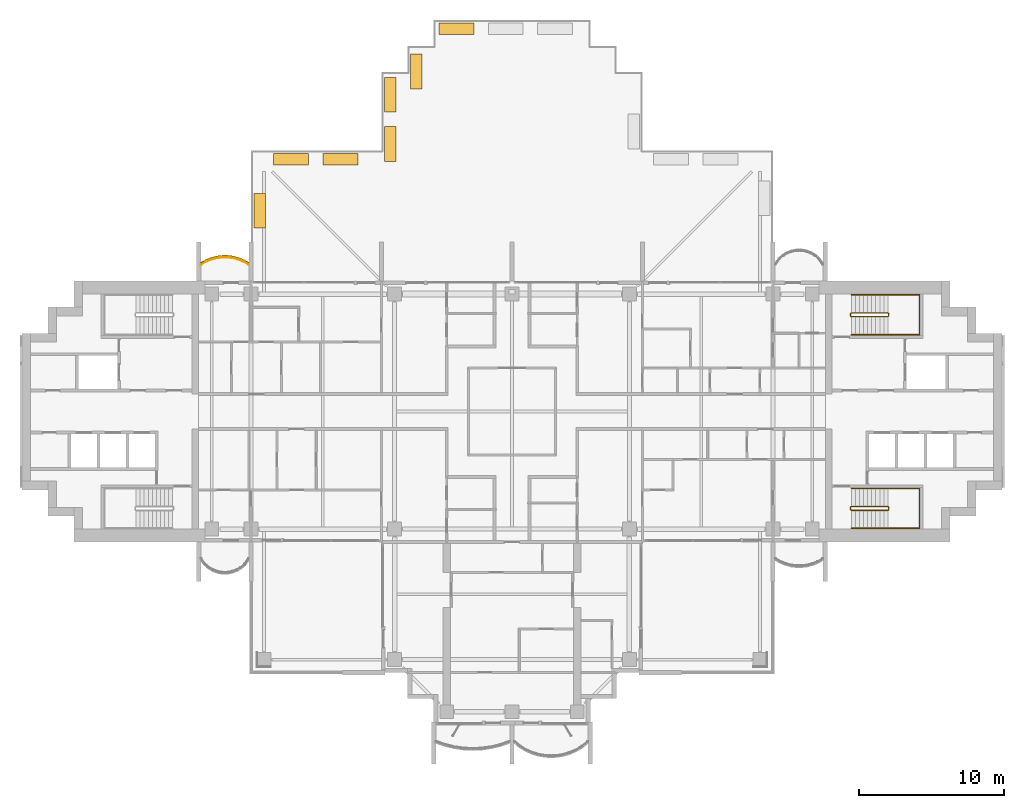
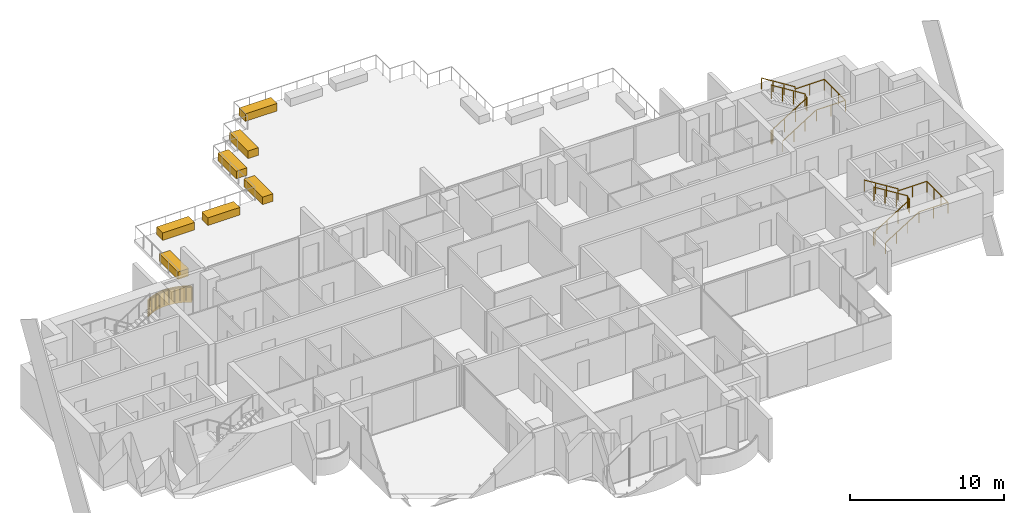
# One storey, part 17 of 18: 8 coverings, 5 railings.
"""IFC4 building model written with IfcOpenShell, lengths in metres."""

from ifc_helpers import new_model, si_unit, direction, frame, origin, origin_2d, place, context, subcontext, project, spatial, polyline, rectangle, outline, extrude, material, layer, layer_set, type_object, element, save


model = new_model("IFC4")

# Units and contexts
model_context = context("Model", 3, precision=1e-05, world=origin(), true_north=direction((0.0, 1.0)))
body_context = subcontext(model_context, "Body", "Model", "MODEL_VIEW")
ifc_project = project(units=[si_unit("LENGTHUNIT", "METRE"), si_unit("AREAUNIT", "SQUARE_METRE"), si_unit("VOLUMEUNIT", "CUBIC_METRE"), si_unit("PLANEANGLEUNIT", "RADIAN"), si_unit("MASSUNIT", "GRAM", prefix="KILO")], contexts=[model_context])

# Site, building, storey
site_placement = place(None, origin())
site = spatial("IfcSite", under=ifc_project, at=site_placement, CompositionType="ELEMENT")
building_placement = place(site_placement, origin())
building = spatial("IfcBuilding", under=site, at=building_placement, Name="Perihelion Cross Residences", CompositionType="ELEMENT")
storey_placement = place(building_placement, frame((0.0, 0.0, 166.60009765625)))
storey = spatial("IfcBuildingStorey", under=building, at=storey_placement, Name="L40", CompositionType="ELEMENT", Elevation=166.60009765625)

# Covering
ifc_material_1 = material(Name="Bronze anodised aluminium", Category="aluminium")
ifc_layer = layer(ifc_material_1, 0.070068359375)
ifc_layer_set = layer_set([ifc_layer], Name="Balcony fascia 1300")
covering_type_1 = type_object("IfcCoveringType", Name="Balcony fascia 1300", PredefinedType="CLADDING", material=ifc_layer_set)
covering_placement = place(storey_placement, frame((0.0, 0.0, -0.2001953125)))
element("IfcCovering", 1, at=covering_placement, inside=storey, type_object=covering_type_1, Name="Fascia BF1 L40 west side north bay 2", PredefinedType="CLADDING", context=body_context, shape_type="SweptSolid", body=[
    extrude(outline(polyline([(-18.486328125, 10.4716796875), (-18.861572265625, 10.62158203125), (-19.237060546875, 10.717529296875), (-19.6123046875, 10.76416015625), (-19.987548828125, 10.76416015625), (-20.363037109375, 10.717529296875), (-20.73828125, 10.62158203125), (-21.11376953125, 10.4716796875), (-21.449951171875, 10.280517578125), (-21.449951171875, 10.199951171875), (-21.083251953125, 10.40869140625), (-20.716552734375, 10.55517578125), (-20.35009765625, 10.648681640625), (-19.9833984375, 10.6943359375), (-19.61669921875, 10.6943359375), (-19.25, 10.648681640625), (-18.88330078125, 10.55517578125), (-18.5166015625, 10.40869140625), (-18.14990234375, 10.199951171875), (-18.14990234375, 10.280517578125), (-18.486328125, 10.4716796875)])), origin(), (0.0, 0.0, 1.0), 1.300048828125),
])

# Railing
ifc_material_2 = material(Name="Bronze anodised aluminium", Category="aluminium")
railing_type_1 = type_object("IfcRailingType", Name="Balcony guard 1100", PredefinedType="GUARDRAIL", material=ifc_material_2)
railing_1_placement = place(storey_placement, frame((-18.175048828125, 10.139892578125, 0.0)))
element("IfcRailing", 2, at=railing_1_placement, inside=storey, type_object=railing_type_1, Name="Guard GU1 L40 west side north bay 2 balcony", PredefinedType="GUARDRAIL", context=body_context, shape_type="SweptSolid", body=[
    extrude(rectangle(XDim=0.048095703125, YDim=0.048095703125, at=origin_2d()), frame((0.0, 0.0, 1.076171875), z_axis=(-0.853266756821, 0.52147467983, 0.0), x_axis=(-0.52147467983, -0.853266756821, 0.0)), (0.0, 0.0, 1.0), 0.400390625),
    extrude(rectangle(XDim=0.048095703125, YDim=0.048095703125, at=origin_2d()), frame((-0.341552734375, 0.208740234375, 1.076171875), z_axis=(-0.928647151248, 0.37096424151, 0.0), x_axis=(-0.37096424151, -0.928647151248, 0.0)), (0.0, 0.0, 1.0), 0.394775390625),
    extrude(rectangle(XDim=0.048095703125, YDim=0.048095703125, at=origin_2d()), frame((-0.708251953125, 0.355224609375, 1.076171875), z_axis=(-0.968993337782, 0.247086849781, 0.0), x_axis=(-0.247086849781, -0.968993337782, 0.0)), (0.0, 0.0, 1.0), 0.37841796875),
    extrude(rectangle(XDim=0.048095703125, YDim=0.048095703125, at=origin_2d()), frame((-1.074951171875, 0.44873046875, 1.076171875), z_axis=(-0.992338742457, 0.123546834114, 0.0), x_axis=(-0.123546834114, -0.992338742457, 0.0)), (0.0, 0.0, 1.0), 0.36962890625),
    extrude(rectangle(XDim=0.048095703125, YDim=0.048095703125, at=origin_2d()), frame((-1.441650390625, 0.494384765625, 1.076171875), z_axis=(-1.0, 0.0, 0.0), x_axis=(0.0, -1.0, 0.0)), (0.0, 0.0, 1.0), 0.36669921875),
    extrude(rectangle(XDim=0.048095703125, YDim=0.048095703125, at=origin_2d()), frame((-1.808349609375, 0.494384765625, 1.076171875), z_axis=(-0.992338742457, -0.123546834114, 0.0), x_axis=(0.123546834114, -0.992338742457, 0.0)), (0.0, 0.0, 1.0), 0.36962890625),
    extrude(rectangle(XDim=0.048095703125, YDim=0.048095703125, at=origin_2d()), frame((-2.175048828125, 0.44873046875, 1.076171875), z_axis=(-0.968953914071, -0.247241405123, 0.0), x_axis=(0.247241405123, -0.968953914071, 0.0)), (0.0, 0.0, 1.0), 0.378173828125),
    extrude(rectangle(XDim=0.048095703125, YDim=0.048095703125, at=origin_2d()), frame((-2.54150390625, 0.355224609375, 1.076171875), z_axis=(-0.928647151248, -0.37096424151, 0.0), x_axis=(0.37096424151, -0.928647151248, 0.0)), (0.0, 0.0, 1.0), 0.394775390625),
    extrude(rectangle(XDim=0.048095703125, YDim=0.048095703125, at=origin_2d()), frame((-2.908203125, 0.208740234375, 1.076171875), z_axis=(-0.853432484338, -0.521203410078, 0.0), x_axis=(0.521203410078, -0.853432484338, 0.0)), (0.0, 0.0, 1.0), 0.400390625),
    extrude(rectangle(XDim=0.0419921875, YDim=0.0419921875, at=origin_2d()), origin(), (0.0, 0.0, 1.0), 1.052001953125),
    extrude(rectangle(XDim=0.0419921875, YDim=0.0419921875, at=origin_2d()), frame((-0.341552734375, 0.208740234375, 0.0)), (0.0, 0.0, 1.0), 1.052001953125),
    extrude(rectangle(XDim=0.0419921875, YDim=0.0419921875, at=origin_2d()), frame((-0.708251953125, 0.355224609375, 0.0)), (0.0, 0.0, 1.0), 1.052001953125),
    extrude(rectangle(XDim=0.0419921875, YDim=0.0419921875, at=origin_2d()), frame((-1.074951171875, 0.44873046875, 0.0)), (0.0, 0.0, 1.0), 1.052001953125),
    extrude(rectangle(XDim=0.0419921875, YDim=0.0419921875, at=origin_2d()), frame((-1.441650390625, 0.494384765625, 0.0)), (0.0, 0.0, 1.0), 1.052001953125),
    extrude(rectangle(XDim=0.0419921875, YDim=0.0419921875, at=origin_2d()), frame((-1.808349609375, 0.494384765625, 0.0)), (0.0, 0.0, 1.0), 1.052001953125),
    extrude(rectangle(XDim=0.0419921875, YDim=0.0419921875, at=origin_2d()), frame((-2.175048828125, 0.44873046875, 0.0)), (0.0, 0.0, 1.0), 1.052001953125),
    extrude(rectangle(XDim=0.0419921875, YDim=0.0419921875, at=origin_2d()), frame((-2.54150390625, 0.355224609375, 0.0)), (0.0, 0.0, 1.0), 1.052001953125),
    extrude(rectangle(XDim=0.0419921875, YDim=0.0419921875, at=origin_2d()), frame((-2.908203125, 0.208740234375, 0.0)), (0.0, 0.0, 1.0), 1.052001953125),
    extrude(rectangle(XDim=0.0419921875, YDim=0.0419921875, at=origin_2d()), frame((-3.25, 0.0, 0.0)), (0.0, 0.0, 1.0), 1.052001953125),
])

# Coverings
ifc_material_3 = material(Name="Precast concrete C40/50", Category="concrete")
covering_type_2 = type_object("IfcCoveringType", Name="Planter box 2400", PredefinedType="USERDEFINED", material=ifc_material_3)
for number, where, z_axis, x_axis, name in (
    (3, (-17.389892578125, 13.85009765625, -0.000244140625), (0.0, 0.0, 1.0), (0.0, 1.0, 0.0), "Planter PT1 L40 terrace 1 1"),
    (4, (-15.22998046875, 17.389892578125, -0.000244140625), (0.0, 0.0, 1.0), (1.0, 0.0, 0.0), "Planter PT1 L40 terrace 1 2"),
    (5, (-11.830078125, 17.389892578125, -0.000244140625), (0.0, 0.0, 1.0), (1.0, 0.0, 0.0), "Planter PT1 L40 terrace 1 3"),
    (6, (-8.389892578125, 18.449951171875, -0.000244140625), (0.0, 0.0, 1.0), (0.0, 1.0, 0.0), "Planter PT1 L40 terrace 1 4"),
    (7, (-8.389892578125, 21.85009765625, -0.000244140625), (0.0, 0.0, 1.0), (0.0, 1.0, 0.0), "Planter PT1 L40 terrace 1 5"),
    (8, (-6.590087890625, 23.449951171875, -0.000244140625), (0.0, 0.0, 1.0), (0.0, 1.0, 0.0), "Planter PT1 L40 terrace 1 6"),
    (9, (-3.830078125, 26.389892578125, -0.000244140625), (0.0, 0.0, 1.0), (1.0, 0.0, 0.0), "Planter PT1 L40 terrace 1 7"),
):
    element("IfcCovering", number, at=place(storey_placement, frame(where, z_axis=z_axis, x_axis=x_axis)), inside=storey, type_object=covering_type_2, Name=name, ObjectType="PLANTER", PredefinedType="USERDEFINED", context=body_context, shape_type="SweptSolid", body=[
        extrude(rectangle(XDim=2.39990234375, YDim=0.800048828125, at=origin_2d()), origin(), (0.0, 0.0, 1.0), 0.60009765625),
    ])

# Railings
ifc_material_4 = material(Name="Stainless steel", Category="steel")
railing_type_2 = type_object("IfcRailingType", Name="Stair guard 1100", PredefinedType="GUARDRAIL", material=ifc_material_4)
railing_2_placement = place(storey_placement, frame((23.35009765625, 6.75, 0.0)))
element("IfcRailing", 10, at=railing_2_placement, inside=storey, type_object=railing_type_2, Name="L40 ST-E1 stair guard 1", PredefinedType="GUARDRAIL", context=body_context, shape_type="SweptSolid", body=[
    extrude(rectangle(XDim=0.048095703125, YDim=0.048095703125, at=origin_2d()), frame((0.0, 0.0, 1.076171875), z_axis=(0.0, -1.0, 0.0), x_axis=(1.0, 0.0, 0.0)), (0.0, 0.0, 1.0), 0.14990234375),
    extrude(rectangle(XDim=0.048095703125, YDim=0.048095703125, at=origin_2d()), frame((0.0, -0.14990234375, 1.076171875), z_axis=(0.264179342666, -0.265474339444, 0.927217692888), x_axis=(0.708833529934, 0.705375805398, 0.0)), (0.0, 0.0, 1.0), 0.1884765625),
    extrude(rectangle(XDim=0.048095703125, YDim=0.048095703125, at=origin_2d()), frame((0.0498046875, -0.199951171875, 1.2509765625), z_axis=(0.847970611238, 0.0, 0.530043245855), x_axis=(0.0, 1.0, 0.0)), (0.0, 0.0, 1.0), 2.971923828125),
    extrude(rectangle(XDim=0.048095703125, YDim=0.048095703125, at=origin_2d()), frame((2.56982421875, -0.199951171875, 2.826171875), z_axis=(0.707106781187, 0.707106781187, 0.0), x_axis=(-0.707106781187, 0.707106781187, 0.0)), (0.0, 0.0, 1.0), 0.07080078125),
    extrude(rectangle(XDim=0.048095703125, YDim=0.048095703125, at=origin_2d()), frame((2.619873046875, -0.14990234375, 2.826171875), z_axis=(0.0, 1.0, 0.0), x_axis=(-1.0, 0.0, 0.0)), (0.0, 0.0, 1.0), 0.14990234375),
    extrude(rectangle(XDim=0.048095703125, YDim=0.048095703125, at=origin_2d()), frame((2.619873046875, 0.0, 2.826171875), z_axis=(-0.265383341853, 0.265383341853, 0.926899867156), x_axis=(-0.707106781187, -0.707106781187, 0.0)), (0.0, 0.0, 1.0), 0.1884765625),
    extrude(rectangle(XDim=0.048095703125, YDim=0.048095703125, at=origin_2d()), frame((2.56982421875, 0.050048828125, 3.0009765625), z_axis=(-0.847970611238, 0.0, 0.530043245855), x_axis=(0.0, -1.0, 0.0)), (0.0, 0.0, 1.0), 2.971923828125),
    extrude(rectangle(XDim=0.0419921875, YDim=0.0419921875, at=origin_2d()), origin(), (0.0, 0.0, 1.0), 1.052001953125),
    extrude(rectangle(XDim=0.0419921875, YDim=0.0419921875, at=origin_2d()), frame((0.0, -0.14990234375, 0.0)), (0.0, 0.0, 1.0), 1.052001953125),
    extrude(rectangle(XDim=0.0419921875, YDim=0.0419921875, at=origin_2d()), frame((0.0498046875, -0.199951171875, 0.1748046875)), (0.0, 0.0, 1.0), 1.052001953125),
    extrude(rectangle(XDim=0.0419921875, YDim=0.0419921875, at=origin_2d()), frame((0.889892578125, -0.199951171875, 0.699951171875)), (0.0, 0.0, 1.0), 1.052001953125),
    extrude(rectangle(XDim=0.0419921875, YDim=0.0419921875, at=origin_2d()), frame((1.729736328125, -0.199951171875, 1.224853515625)), (0.0, 0.0, 1.0), 1.052001953125),
    extrude(rectangle(XDim=0.0419921875, YDim=0.0419921875, at=origin_2d()), frame((2.56982421875, -0.199951171875, 1.75)), (0.0, 0.0, 1.0), 1.052001953125),
    extrude(rectangle(XDim=0.0419921875, YDim=0.0419921875, at=origin_2d()), frame((2.619873046875, -0.14990234375, 1.75)), (0.0, 0.0, 1.0), 1.052001953125),
    extrude(rectangle(XDim=0.0419921875, YDim=0.0419921875, at=origin_2d()), frame((2.619873046875, 0.0, 1.75)), (0.0, 0.0, 1.0), 1.052001953125),
    extrude(rectangle(XDim=0.0419921875, YDim=0.0419921875, at=origin_2d()), frame((2.56982421875, 0.050048828125, 1.9248046875)), (0.0, 0.0, 1.0), 1.052001953125),
    extrude(rectangle(XDim=0.0419921875, YDim=0.0419921875, at=origin_2d()), frame((1.729736328125, 0.050048828125, 2.449951171875)), (0.0, 0.0, 1.0), 1.052001953125),
    extrude(rectangle(XDim=0.0419921875, YDim=0.0419921875, at=origin_2d()), frame((0.889892578125, 0.050048828125, 2.974853515625)), (0.0, 0.0, 1.0), 1.052001953125),
    extrude(rectangle(XDim=0.0419921875, YDim=0.0419921875, at=origin_2d()), frame((0.0498046875, 0.050048828125, 3.5)), (0.0, 0.0, 1.0), 1.052001953125),
])
railing_3_placement = place(storey_placement, frame((23.35009765625, -6.60009765625, 0.0)))
element("IfcRailing", 11, at=railing_3_placement, inside=storey, type_object=railing_type_2, Name="L40 ST-E2 stair guard 1", PredefinedType="GUARDRAIL", context=body_context, shape_type="SweptSolid", body=[
    extrude(rectangle(XDim=0.048095703125, YDim=0.048095703125, at=origin_2d()), frame((0.0, 0.0, 1.076171875), z_axis=(0.0, -1.0, 0.0), x_axis=(1.0, 0.0, 0.0)), (0.0, 0.0, 1.0), 0.14990234375),
    extrude(rectangle(XDim=0.048095703125, YDim=0.048095703125, at=origin_2d()), frame((0.0, -0.14990234375, 1.076171875), z_axis=(0.264179342666, -0.265474339444, 0.927217692888), x_axis=(0.708833529934, 0.705375805398, 0.0)), (0.0, 0.0, 1.0), 0.1884765625),
    extrude(rectangle(XDim=0.048095703125, YDim=0.048095703125, at=origin_2d()), frame((0.0498046875, -0.199951171875, 1.2509765625), z_axis=(0.847970611238, 0.0, 0.530043245855), x_axis=(0.0, 1.0, 0.0)), (0.0, 0.0, 1.0), 2.971923828125),
    extrude(rectangle(XDim=0.048095703125, YDim=0.048095703125, at=origin_2d()), frame((2.56982421875, -0.199951171875, 2.826171875), z_axis=(0.707106781187, 0.707106781187, 0.0), x_axis=(-0.707106781187, 0.707106781187, 0.0)), (0.0, 0.0, 1.0), 0.07080078125),
    extrude(rectangle(XDim=0.048095703125, YDim=0.048095703125, at=origin_2d()), frame((2.619873046875, -0.14990234375, 2.826171875), z_axis=(0.0, 1.0, 0.0), x_axis=(-1.0, 0.0, 0.0)), (0.0, 0.0, 1.0), 0.14990234375),
    extrude(rectangle(XDim=0.048095703125, YDim=0.048095703125, at=origin_2d()), frame((2.619873046875, 0.0, 2.826171875), z_axis=(-0.265383341853, 0.265383341853, 0.926899867156), x_axis=(-0.707106781187, -0.707106781187, 0.0)), (0.0, 0.0, 1.0), 0.1884765625),
    extrude(rectangle(XDim=0.048095703125, YDim=0.048095703125, at=origin_2d()), frame((2.56982421875, 0.050048828125, 3.0009765625), z_axis=(-0.847970611238, 0.0, 0.530043245855), x_axis=(0.0, -1.0, 0.0)), (0.0, 0.0, 1.0), 2.971923828125),
    extrude(rectangle(XDim=0.0419921875, YDim=0.0419921875, at=origin_2d()), origin(), (0.0, 0.0, 1.0), 1.052001953125),
    extrude(rectangle(XDim=0.0419921875, YDim=0.0419921875, at=origin_2d()), frame((0.0, -0.14990234375, 0.0)), (0.0, 0.0, 1.0), 1.052001953125),
    extrude(rectangle(XDim=0.0419921875, YDim=0.0419921875, at=origin_2d()), frame((0.0498046875, -0.199951171875, 0.1748046875)), (0.0, 0.0, 1.0), 1.052001953125),
    extrude(rectangle(XDim=0.0419921875, YDim=0.0419921875, at=origin_2d()), frame((0.889892578125, -0.199951171875, 0.699951171875)), (0.0, 0.0, 1.0), 1.052001953125),
    extrude(rectangle(XDim=0.0419921875, YDim=0.0419921875, at=origin_2d()), frame((1.729736328125, -0.199951171875, 1.224853515625)), (0.0, 0.0, 1.0), 1.052001953125),
    extrude(rectangle(XDim=0.0419921875, YDim=0.0419921875, at=origin_2d()), frame((2.56982421875, -0.199951171875, 1.75)), (0.0, 0.0, 1.0), 1.052001953125),
    extrude(rectangle(XDim=0.0419921875, YDim=0.0419921875, at=origin_2d()), frame((2.619873046875, -0.14990234375, 1.75)), (0.0, 0.0, 1.0), 1.052001953125),
    extrude(rectangle(XDim=0.0419921875, YDim=0.0419921875, at=origin_2d()), frame((2.619873046875, 0.0, 1.75)), (0.0, 0.0, 1.0), 1.052001953125),
    extrude(rectangle(XDim=0.0419921875, YDim=0.0419921875, at=origin_2d()), frame((2.56982421875, 0.050048828125, 1.9248046875)), (0.0, 0.0, 1.0), 1.052001953125),
    extrude(rectangle(XDim=0.0419921875, YDim=0.0419921875, at=origin_2d()), frame((1.729736328125, 0.050048828125, 2.449951171875)), (0.0, 0.0, 1.0), 1.052001953125),
    extrude(rectangle(XDim=0.0419921875, YDim=0.0419921875, at=origin_2d()), frame((0.889892578125, 0.050048828125, 2.974853515625)), (0.0, 0.0, 1.0), 1.052001953125),
    extrude(rectangle(XDim=0.0419921875, YDim=0.0419921875, at=origin_2d()), frame((0.0498046875, 0.050048828125, 3.5)), (0.0, 0.0, 1.0), 1.052001953125),
])
ifc_material_5 = material(Name="Stainless steel", Category="steel")
railing_type_3 = type_object("IfcRailingType", Name="Stair handrail 900", PredefinedType="HANDRAIL", material=ifc_material_5)
railing_4_placement = place(storey_placement, frame((23.39990234375, 5.300048828125, 0.1748046875)))
element("IfcRailing", 12, at=railing_4_placement, inside=storey, type_object=railing_type_3, Name="L40 ST-E1 stair handrail 1", PredefinedType="HANDRAIL", context=body_context, shape_type="SweptSolid", body=[
    extrude(rectangle(XDim=0.048095703125, YDim=0.048095703125, at=origin_2d()), frame((0.0, 0.0, 0.8759765625), z_axis=(0.847970611238, 0.0, 0.530043245855), x_axis=(0.0, 1.0, 0.0)), (0.0, 0.0, 1.0), 2.971923828125),
    extrude(rectangle(XDim=0.048095703125, YDim=0.048095703125, at=origin_2d()), frame((2.52001953125, 0.0, 2.451171875), z_axis=(1.0, 0.0, 0.0), x_axis=(0.0, 1.0, 0.0)), (0.0, 0.0, 1.0), 2.18017578125),
    extrude(rectangle(XDim=0.048095703125, YDim=0.048095703125, at=origin_2d()), frame((4.7001953125, 0.0, 2.451171875), z_axis=(0.0, 1.0, 0.0), x_axis=(-1.0, 0.0, 0.0)), (0.0, 0.0, 1.0), 2.75),
    extrude(rectangle(XDim=0.048095703125, YDim=0.048095703125, at=origin_2d()), frame((4.7001953125, 2.75, 2.451171875), z_axis=(-1.0, 0.0, 0.0), x_axis=(0.0, -1.0, 0.0)), (0.0, 0.0, 1.0), 2.18017578125),
    extrude(rectangle(XDim=0.048095703125, YDim=0.048095703125, at=origin_2d()), frame((2.52001953125, 2.75, 2.451171875), z_axis=(0.0, 0.0, 1.0), x_axis=(1.0, 0.0, 0.0)), (0.0, 0.0, 1.0), 0.1748046875),
    extrude(rectangle(XDim=0.048095703125, YDim=0.048095703125, at=origin_2d()), frame((2.52001953125, 2.75, 2.6259765625), z_axis=(-0.847970611238, 0.0, 0.530043245855), x_axis=(0.0, -1.0, 0.0)), (0.0, 0.0, 1.0), 2.971923828125),
    extrude(rectangle(XDim=0.0419921875, YDim=0.0419921875, at=origin_2d()), origin(), (0.0, 0.0, 1.0), 0.851806640625),
    extrude(rectangle(XDim=0.0419921875, YDim=0.0419921875, at=origin_2d()), frame((0.840087890625, 0.0, 0.525146484375)), (0.0, 0.0, 1.0), 0.851806640625),
    extrude(rectangle(XDim=0.0419921875, YDim=0.0419921875, at=origin_2d()), frame((1.679931640625, 0.0, 1.050048828125)), (0.0, 0.0, 1.0), 0.851806640625),
    extrude(rectangle(XDim=0.0419921875, YDim=0.0419921875, at=origin_2d()), frame((2.52001953125, 0.0, 1.5751953125)), (0.0, 0.0, 1.0), 0.851806640625),
    extrude(rectangle(XDim=0.0419921875, YDim=0.0419921875, at=origin_2d()), frame((3.610107421875, 0.0, 1.5751953125)), (0.0, 0.0, 1.0), 0.851806640625),
    extrude(rectangle(XDim=0.0419921875, YDim=0.0419921875, at=origin_2d()), frame((4.7001953125, 0.0, 1.5751953125)), (0.0, 0.0, 1.0), 0.851806640625),
    extrude(rectangle(XDim=0.0419921875, YDim=0.0419921875, at=origin_2d()), frame((4.7001953125, 0.916748046875, 1.5751953125)), (0.0, 0.0, 1.0), 0.851806640625),
    extrude(rectangle(XDim=0.0419921875, YDim=0.0419921875, at=origin_2d()), frame((4.7001953125, 1.833251953125, 1.5751953125)), (0.0, 0.0, 1.0), 0.851806640625),
    extrude(rectangle(XDim=0.0419921875, YDim=0.0419921875, at=origin_2d()), frame((4.7001953125, 2.75, 1.5751953125)), (0.0, 0.0, 1.0), 0.851806640625),
    extrude(rectangle(XDim=0.0419921875, YDim=0.0419921875, at=origin_2d()), frame((3.610107421875, 2.75, 1.5751953125)), (0.0, 0.0, 1.0), 0.851806640625),
    extrude(rectangle(XDim=0.0419921875, YDim=0.0419921875, at=origin_2d()), frame((2.52001953125, 2.75, 1.5751953125)), (0.0, 0.0, 1.0), 0.851806640625),
    extrude(rectangle(XDim=0.0419921875, YDim=0.0419921875, at=origin_2d()), frame((2.52001953125, 2.75, 1.75)), (0.0, 0.0, 1.0), 0.851806640625),
    extrude(rectangle(XDim=0.0419921875, YDim=0.0419921875, at=origin_2d()), frame((1.679931640625, 2.75, 2.275146484375)), (0.0, 0.0, 1.0), 0.851806640625),
    extrude(rectangle(XDim=0.0419921875, YDim=0.0419921875, at=origin_2d()), frame((0.840087890625, 2.75, 2.800048828125)), (0.0, 0.0, 1.0), 0.851806640625),
    extrude(rectangle(XDim=0.0419921875, YDim=0.0419921875, at=origin_2d()), frame((0.0, 2.75, 3.3251953125)), (0.0, 0.0, 1.0), 0.851806640625),
])
railing_5_placement = place(storey_placement, frame((23.39990234375, -8.050048828125, 0.1748046875)))
element("IfcRailing", 13, at=railing_5_placement, inside=storey, type_object=railing_type_3, Name="L40 ST-E2 stair handrail 1", PredefinedType="HANDRAIL", context=body_context, shape_type="SweptSolid", body=[
    extrude(rectangle(XDim=0.048095703125, YDim=0.048095703125, at=origin_2d()), frame((0.0, 0.0, 0.8759765625), z_axis=(0.847970611238, 0.0, 0.530043245855), x_axis=(0.0, 1.0, 0.0)), (0.0, 0.0, 1.0), 2.971923828125),
    extrude(rectangle(XDim=0.048095703125, YDim=0.048095703125, at=origin_2d()), frame((2.52001953125, 0.0, 2.451171875), z_axis=(1.0, 0.0, 0.0), x_axis=(0.0, 1.0, 0.0)), (0.0, 0.0, 1.0), 2.18017578125),
    extrude(rectangle(XDim=0.048095703125, YDim=0.048095703125, at=origin_2d()), frame((4.7001953125, 0.0, 2.451171875), z_axis=(0.0, 1.0, 0.0), x_axis=(-1.0, 0.0, 0.0)), (0.0, 0.0, 1.0), 2.75),
    extrude(rectangle(XDim=0.048095703125, YDim=0.048095703125, at=origin_2d()), frame((4.7001953125, 2.75, 2.451171875), z_axis=(-1.0, 0.0, 0.0), x_axis=(0.0, -1.0, 0.0)), (0.0, 0.0, 1.0), 2.18017578125),
    extrude(rectangle(XDim=0.048095703125, YDim=0.048095703125, at=origin_2d()), frame((2.52001953125, 2.75, 2.451171875), z_axis=(0.0, 0.0, 1.0), x_axis=(1.0, 0.0, 0.0)), (0.0, 0.0, 1.0), 0.1748046875),
    extrude(rectangle(XDim=0.048095703125, YDim=0.048095703125, at=origin_2d()), frame((2.52001953125, 2.75, 2.6259765625), z_axis=(-0.847970611238, 0.0, 0.530043245855), x_axis=(0.0, -1.0, 0.0)), (0.0, 0.0, 1.0), 2.971923828125),
    extrude(rectangle(XDim=0.0419921875, YDim=0.0419921875, at=origin_2d()), origin(), (0.0, 0.0, 1.0), 0.851806640625),
    extrude(rectangle(XDim=0.0419921875, YDim=0.0419921875, at=origin_2d()), frame((0.840087890625, 0.0, 0.525146484375)), (0.0, 0.0, 1.0), 0.851806640625),
    extrude(rectangle(XDim=0.0419921875, YDim=0.0419921875, at=origin_2d()), frame((1.679931640625, 0.0, 1.050048828125)), (0.0, 0.0, 1.0), 0.851806640625),
    extrude(rectangle(XDim=0.0419921875, YDim=0.0419921875, at=origin_2d()), frame((2.52001953125, 0.0, 1.5751953125)), (0.0, 0.0, 1.0), 0.851806640625),
    extrude(rectangle(XDim=0.0419921875, YDim=0.0419921875, at=origin_2d()), frame((3.610107421875, 0.0, 1.5751953125)), (0.0, 0.0, 1.0), 0.851806640625),
    extrude(rectangle(XDim=0.0419921875, YDim=0.0419921875, at=origin_2d()), frame((4.7001953125, 0.0, 1.5751953125)), (0.0, 0.0, 1.0), 0.851806640625),
    extrude(rectangle(XDim=0.0419921875, YDim=0.0419921875, at=origin_2d()), frame((4.7001953125, 0.916748046875, 1.5751953125)), (0.0, 0.0, 1.0), 0.851806640625),
    extrude(rectangle(XDim=0.0419921875, YDim=0.0419921875, at=origin_2d()), frame((4.7001953125, 1.833251953125, 1.5751953125)), (0.0, 0.0, 1.0), 0.851806640625),
    extrude(rectangle(XDim=0.0419921875, YDim=0.0419921875, at=origin_2d()), frame((4.7001953125, 2.75, 1.5751953125)), (0.0, 0.0, 1.0), 0.851806640625),
    extrude(rectangle(XDim=0.0419921875, YDim=0.0419921875, at=origin_2d()), frame((3.610107421875, 2.75, 1.5751953125)), (0.0, 0.0, 1.0), 0.851806640625),
    extrude(rectangle(XDim=0.0419921875, YDim=0.0419921875, at=origin_2d()), frame((2.52001953125, 2.75, 1.5751953125)), (0.0, 0.0, 1.0), 0.851806640625),
    extrude(rectangle(XDim=0.0419921875, YDim=0.0419921875, at=origin_2d()), frame((2.52001953125, 2.75, 1.75)), (0.0, 0.0, 1.0), 0.851806640625),
    extrude(rectangle(XDim=0.0419921875, YDim=0.0419921875, at=origin_2d()), frame((1.679931640625, 2.75, 2.275146484375)), (0.0, 0.0, 1.0), 0.851806640625),
    extrude(rectangle(XDim=0.0419921875, YDim=0.0419921875, at=origin_2d()), frame((0.840087890625, 2.75, 2.800048828125)), (0.0, 0.0, 1.0), 0.851806640625),
    extrude(rectangle(XDim=0.0419921875, YDim=0.0419921875, at=origin_2d()), frame((0.0, 2.75, 3.3251953125)), (0.0, 0.0, 1.0), 0.851806640625),
])

save(model, "model.ifc")
